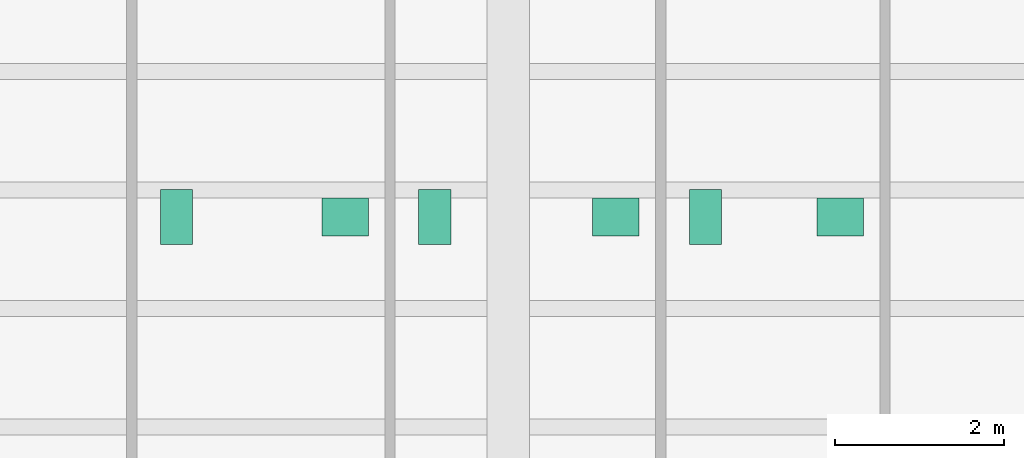
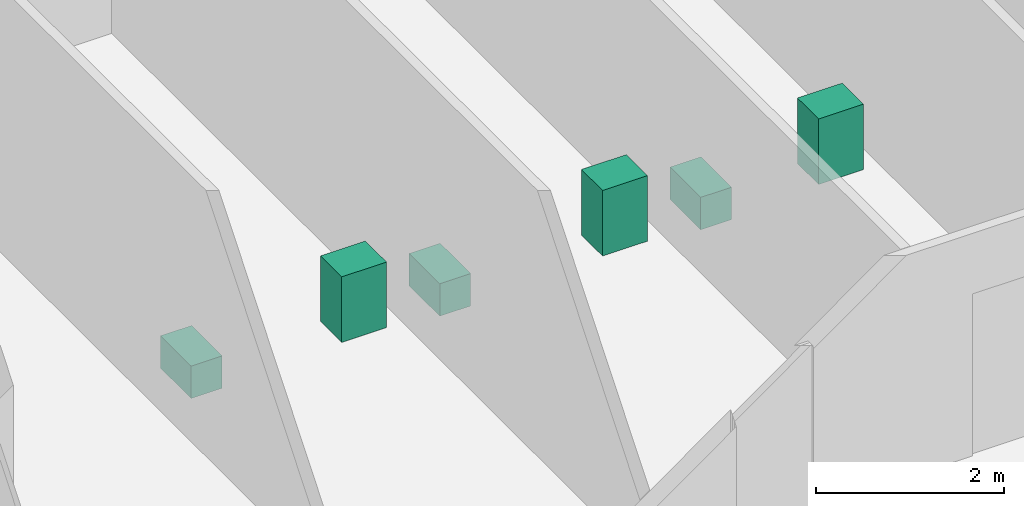
# One storey, part 12 of 12: 6 sanitary terminals.
"""IFC4 building model written with IfcOpenShell, lengths in metres."""

from ifc_helpers import new_model, si_unit, direction, frame, origin, origin_2d, place, context, subcontext, project, spatial, rectangle, extrude, material, type_object, element, save


model = new_model("IFC4")

# Units and contexts
model_context = context("Model", 3, precision=1e-05, world=origin(), true_north=direction((0.0, 1.0)))
body_context = subcontext(model_context, "Body", "Model", "MODEL_VIEW")
ifc_project = project(units=[si_unit("LENGTHUNIT", "METRE"), si_unit("AREAUNIT", "SQUARE_METRE"), si_unit("VOLUMEUNIT", "CUBIC_METRE"), si_unit("PLANEANGLEUNIT", "RADIAN"), si_unit("MASSUNIT", "GRAM", prefix="KILO")], contexts=[model_context])

# Site, building, storey
site_placement = place(None, origin())
site = spatial("IfcSite", under=ifc_project, at=site_placement, CompositionType="ELEMENT")
building_placement = place(site_placement, origin())
building = spatial("IfcBuilding", under=site, at=building_placement, Name="Kranthara Brick Stack", CompositionType="ELEMENT")
storey_placement = place(building_placement, frame((0.0, 0.0, 67.199951171875)))
storey = spatial("IfcBuildingStorey", under=building, at=storey_placement, Name="L16", CompositionType="ELEMENT", Elevation=67.199951171875)

# Sanitary terminals
ifc_material_1 = material(Name="Vitreous china sanitary porcelain", Category="other")
sanitary_terminal_type_1 = type_object("IfcSanitaryTerminalType", Name="SAN-BASIN", PredefinedType="WASHHANDBASIN", material=ifc_material_1)
for number, where, z_axis, x_axis, name in (
    (1, (26.070068359375, 29.985107421875, 0.0), (0.0, 0.0, 1.0), (1.0, 0.0, 0.0), "L16 Washbasin 48"),
    (2, (29.27001953125, 29.985107421875, 0.0), (0.0, 0.0, 1.0), (1.0, 0.0, 0.0), "L16 Washbasin 49"),
    (3, (31.919921875, 29.985107421875, 0.0), (0.0, 0.0, 1.0), (1.0, 0.0, 0.0), "L16 Washbasin 50"),
):
    element("IfcSanitaryTerminal", number, at=place(storey_placement, frame(where, z_axis=z_axis, x_axis=x_axis)), inside=storey, type_object=sanitary_terminal_type_1, Name=name, PredefinedType="WASHHANDBASIN", context=body_context, shape_type="SweptSolid", body=[
        extrude(rectangle(XDim=0.550048828125, YDim=0.449951171875, at=origin_2d()), origin(), (0.0, 0.0, 1.0), 0.85009765625),
    ])
ifc_material_2 = material(Name="Vitreous china sanitary porcelain", Category="other")
sanitary_terminal_type_2 = type_object("IfcSanitaryTerminalType", Name="SAN-WC-PAN", PredefinedType="TOILETPAN", material=ifc_material_2)
for number, where, z_axis, x_axis, name in (
    (4, (24.080078125, 29.985107421875, 0.0), (0.0, 0.0, 1.0), (1.0, 0.0, 0.0), "L16 WC Pan 48"),
    (5, (27.1298828125, 29.985107421875, 0.0), (0.0, 0.0, 1.0), (1.0, 0.0, 0.0), "L16 WC Pan 49"),
    (6, (30.330078125, 29.985107421875, 0.0), (0.0, 0.0, 1.0), (1.0, 0.0, 0.0), "L16 WC Pan 50"),
):
    element("IfcSanitaryTerminal", number, at=place(storey_placement, frame(where, z_axis=z_axis, x_axis=x_axis)), inside=storey, type_object=sanitary_terminal_type_2, Name=name, PredefinedType="TOILETPAN", context=body_context, shape_type="SweptSolid", body=[
        extrude(rectangle(XDim=0.3798828125, YDim=0.64990234375, at=origin_2d()), origin(), (0.0, 0.0, 1.0), 0.419921875),
    ])

save(model, "model.ifc")
